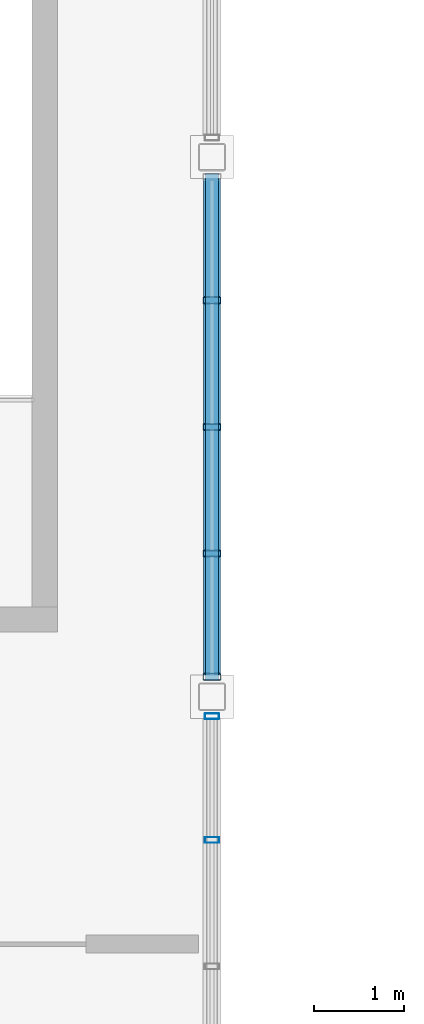
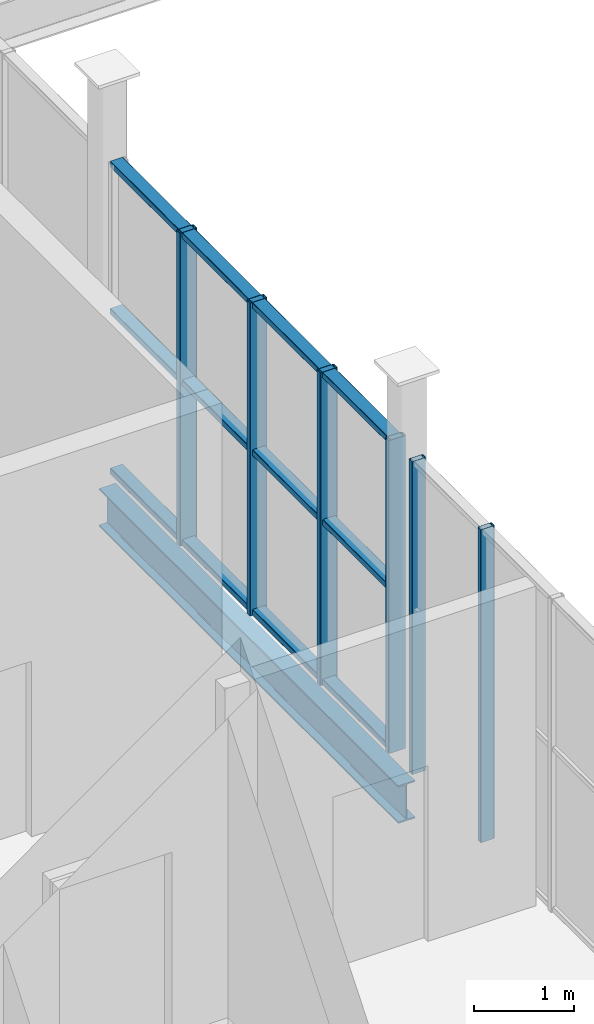
# One storey, part 43 of 114: 9 members, 1 beam, 2 elements without a shape of their own.
"""IFC4 building model written with IfcOpenShell, lengths in metres."""

from ifc_helpers import new_model, si_unit, direction, frame, origin, origin_2d, place, context, subcontext, project, spatial, hollow_rectangle, i_section, extrude, material, material_profile, profile_set, type_object, element, aggregate, save


model = new_model("IFC4")

# Units and contexts
model_context = context("Model", 3, precision=1e-05, world=origin(), true_north=direction((0.0, 1.0)))
body_context = subcontext(model_context, "Body", "Model", "MODEL_VIEW")
ifc_project = project(units=[si_unit("LENGTHUNIT", "METRE"), si_unit("AREAUNIT", "SQUARE_METRE"), si_unit("VOLUMEUNIT", "CUBIC_METRE"), si_unit("PLANEANGLEUNIT", "RADIAN"), si_unit("MASSUNIT", "GRAM", prefix="KILO")], contexts=[model_context])

# Site, building, storey
site_placement = place(None, origin())
site = spatial("IfcSite", under=ifc_project, at=site_placement, CompositionType="ELEMENT")
building_placement = place(site_placement, origin())
building = spatial("IfcBuilding", under=site, at=building_placement, Name="Verrall Gate Interchange", CompositionType="ELEMENT")
storey_placement = place(building_placement, frame((0.0, 0.0, 6.60009765625)))
storey = spatial("IfcBuildingStorey", under=building, at=storey_placement, Name="L02", CompositionType="ELEMENT", Elevation=6.60009765625)

# Beam
ifc_material_1 = material(Name="Structural Steel CSA G40.21 350W", Category="steel")
ifc_material_profile_1 = material_profile(ifc_material_1, i_section(OverallWidth=0.19189453125, OverallDepth=0.462890625, WebThickness=0.010498046875, FlangeThickness=0.017578125, FilletRadius=0.012939453125, at=origin_2d()), Name="W460x89")
ifc_profile_set_1 = profile_set([ifc_material_profile_1], Name="Structural Steel CSA G40.21 350W")
beam_type = type_object("IfcBeamType", Name="B-11 Structural Beam W460x89", PredefinedType="BEAM", material=ifc_profile_set_1)
beam_placement = place(storey_placement, frame((108.0, 34.0, -0.51171875), z_axis=(0.0, 1.0, 0.0), x_axis=(-1.0, 0.0, 0.0)))
element("IfcBeam", 1, at=beam_placement, inside=storey, type_object=beam_type, Name="L02 Girder BM-L02-1777 (B-11)", PredefinedType="BEAM", context=body_context, shape_type="SweptSolid", body=[
    extrude(i_section(OverallWidth=0.19189453125, OverallDepth=0.462890625, WebThickness=0.010498046875, FlangeThickness=0.017578125, FilletRadius=0.012939453125, at=origin_2d()), origin(), (0.0, 0.0, 1.0), 6.0),
])

# Curtain wall, members
ifc_material_2 = material(Name="Thermally Broken Anodized Aluminium Curtain Wall Framing", Category="aluminium")
curtain_wall_type = type_object("IfcCurtainWallType", Name="CW-18 Unitized Curtain Wall 5631x3760", PredefinedType="NOTDEFINED", material=ifc_material_2)
curtain_wall_1_placement = place(storey_placement, origin())
curtain_wall_1 = element("IfcCurtainWall", 2, at=curtain_wall_1_placement, inside=storey, type_object=curtain_wall_type, Name="L02 Unitized Curtain Wall CW-L02-066", PredefinedType="NOTDEFINED")
ifc_material_3 = material(Name="Thermally Broken Anodized Aluminium Curtain Wall Framing", Category="aluminium")
ifc_material_profile_2 = material_profile(ifc_material_3, hollow_rectangle(XDim=0.06494140625, YDim=0.159912109375, WallThickness=0.00390625, InnerFilletRadius=0.00390625, OuterFilletRadius=0.008056640625, at=origin_2d()), Name="CWM160x65x4")
ifc_profile_set_2 = profile_set([ifc_material_profile_2], Name="Thermally Broken Anodized Aluminium Curtain Wall Framing")
member_type_1 = type_object("IfcMemberType", Name="CM-01 Curtain Mullion CWM160x65x4", PredefinedType="MULLION", material=ifc_profile_set_2)
member_1_placement = place(storey_placement, frame((108.0, 32.40771484375, 0.0), z_axis=(0.0, 0.0, 1.0), x_axis=(0.0, 1.0, 0.0)))
member_1 = element("IfcMember", 3, at=member_1_placement, type_object=member_type_1, Name="CW-L02-066 Mullion 4", PredefinedType="MULLION", context=body_context, shape_type="SweptSolid", body=[
    extrude(hollow_rectangle(XDim=0.06494140625, YDim=0.159912109375, WallThickness=0.00390625, InnerFilletRadius=0.00390625, OuterFilletRadius=0.008056640625, at=origin_2d()), origin(), (0.0, 0.0, 1.0), 3.829833984375),
])
member_2_placement = place(storey_placement, frame((108.0, 33.782958984375, 0.0), z_axis=(0.0, 0.0, 1.0), x_axis=(0.0, 1.0, 0.0)))
member_2 = element("IfcMember", 4, at=member_2_placement, type_object=member_type_1, Name="CW-L02-066 Mullion 5", PredefinedType="MULLION", context=body_context, shape_type="SweptSolid", body=[
    extrude(hollow_rectangle(XDim=0.06494140625, YDim=0.159912109375, WallThickness=0.00390625, InnerFilletRadius=0.00390625, OuterFilletRadius=0.008056640625, at=origin_2d()), origin(), (0.0, 0.0, 1.0), 3.829833984375),
])
aggregate(curtain_wall_1, [member_1, member_2])

curtain_wall_2_placement = place(storey_placement, origin())
curtain_wall_2 = element("IfcCurtainWall", 5, at=curtain_wall_2_placement, inside=storey, type_object=curtain_wall_type, Name="L02 Unitized Curtain Wall CW-L02-067", PredefinedType="NOTDEFINED")
ifc_material_4 = material(Name="Thermally Broken Anodized Aluminium Curtain Wall Framing", Category="aluminium")
ifc_material_profile_3 = material_profile(ifc_material_4, hollow_rectangle(XDim=0.074951171875, YDim=0.199951171875, WallThickness=0.0048828125, InnerFilletRadius=0.0048828125, OuterFilletRadius=0.010009765625, at=origin_2d()), Name="CWM200x75x5")
ifc_profile_set_3 = profile_set([ifc_material_profile_3], Name="Thermally Broken Anodized Aluminium Curtain Wall Framing")
member_type_2 = type_object("IfcMemberType", Name="CM-02 Curtain Mullion CWM200x75x5", PredefinedType="MULLION", material=ifc_profile_set_3)
member_3_placement = place(storey_placement, frame((108.0, 34.221923828125, 0.0), z_axis=(0.0, 0.0, 1.0), x_axis=(0.0, 1.0, 0.0)))
member_3 = element("IfcMember", 6, at=member_3_placement, type_object=member_type_2, Name="CW-L02-067 Mullion 1", PredefinedType="MULLION", context=body_context, shape_type="SweptSolid", body=[
    extrude(hollow_rectangle(XDim=0.074951171875, YDim=0.199951171875, WallThickness=0.0048828125, InnerFilletRadius=0.0048828125, OuterFilletRadius=0.010009765625, at=origin_2d()), origin(), (0.0, 0.0, 1.0), 3.829833984375),
])
member_4_placement = place(storey_placement, frame((108.0, 35.59228515625, 0.0), z_axis=(0.0, 0.0, 1.0), x_axis=(0.0, 1.0, 0.0)))
member_4 = element("IfcMember", 7, at=member_4_placement, type_object=member_type_2, Name="CW-L02-067 Mullion 2", PredefinedType="MULLION", context=body_context, shape_type="SweptSolid", body=[
    extrude(hollow_rectangle(XDim=0.074951171875, YDim=0.199951171875, WallThickness=0.0048828125, InnerFilletRadius=0.0048828125, OuterFilletRadius=0.010009765625, at=origin_2d()), origin(), (0.0, 0.0, 1.0), 3.829833984375),
])
member_5_placement = place(storey_placement, frame((108.0, 37.0, 0.0), z_axis=(0.0, 0.0, 1.0), x_axis=(0.0, 1.0, 0.0)))
member_5 = element("IfcMember", 8, at=member_5_placement, type_object=member_type_2, Name="CW-L02-067 Mullion 3", PredefinedType="MULLION", context=body_context, shape_type="SweptSolid", body=[
    extrude(hollow_rectangle(XDim=0.074951171875, YDim=0.199951171875, WallThickness=0.0048828125, InnerFilletRadius=0.0048828125, OuterFilletRadius=0.010009765625, at=origin_2d()), origin(), (0.0, 0.0, 1.0), 3.829833984375),
])
member_6_placement = place(storey_placement, frame((108.0, 38.40771484375, 0.0), z_axis=(0.0, 0.0, 1.0), x_axis=(0.0, 1.0, 0.0)))
member_6 = element("IfcMember", 9, at=member_6_placement, type_object=member_type_2, Name="CW-L02-067 Mullion 4", PredefinedType="MULLION", context=body_context, shape_type="SweptSolid", body=[
    extrude(hollow_rectangle(XDim=0.074951171875, YDim=0.199951171875, WallThickness=0.0048828125, InnerFilletRadius=0.0048828125, OuterFilletRadius=0.010009765625, at=origin_2d()), origin(), (0.0, 0.0, 1.0), 3.829833984375),
])
ifc_material_5 = material(Name="Thermally Broken Anodized Aluminium Curtain Wall Framing", Category="aluminium")
ifc_material_profile_4 = material_profile(ifc_material_5, hollow_rectangle(XDim=0.14990234375, YDim=0.074951171875, WallThickness=0.00439453125, InnerFilletRadius=0.00439453125, OuterFilletRadius=0.009033203125, at=origin_2d()), Name="CWT150x75x4.5")
ifc_profile_set_4 = profile_set([ifc_material_profile_4], Name="Thermally Broken Anodized Aluminium Curtain Wall Framing")
member_type_3 = type_object("IfcMemberType", Name="CT-02 Curtain Transom CWT150x75x4.5", PredefinedType="USERDEFINED", material=ifc_profile_set_4)
member_7_placement = place(storey_placement, frame((108.0, 34.1845703125, 0.037353515625), z_axis=(0.0, 1.0, 0.0), x_axis=(-1.0, 0.0, 0.0)))
member_7 = element("IfcMember", 10, at=member_7_placement, type_object=member_type_3, Name="CW-L02-067 Transom 1", ObjectType="TRANSOM", PredefinedType="USERDEFINED", context=body_context, shape_type="SweptSolid", body=[
    extrude(hollow_rectangle(XDim=0.14990234375, YDim=0.074951171875, WallThickness=0.00439453125, InnerFilletRadius=0.00439453125, OuterFilletRadius=0.009033203125, at=origin_2d()), origin(), (0.0, 0.0, 1.0), 5.630859375),
])
member_8_placement = place(storey_placement, frame((108.0, 34.1845703125, 1.991455078125), z_axis=(0.0, 1.0, 0.0), x_axis=(-1.0, 0.0, 0.0)))
member_8 = element("IfcMember", 11, at=member_8_placement, type_object=member_type_3, Name="CW-L02-067 Transom 2", ObjectType="TRANSOM", PredefinedType="USERDEFINED", context=body_context, shape_type="SweptSolid", body=[
    extrude(hollow_rectangle(XDim=0.14990234375, YDim=0.074951171875, WallThickness=0.00439453125, InnerFilletRadius=0.00439453125, OuterFilletRadius=0.009033203125, at=origin_2d()), origin(), (0.0, 0.0, 1.0), 5.630859375),
])
member_9_placement = place(storey_placement, frame((108.0, 34.1845703125, 3.79248046875), z_axis=(0.0, 1.0, 0.0), x_axis=(-1.0, 0.0, 0.0)))
member_9 = element("IfcMember", 12, at=member_9_placement, type_object=member_type_3, Name="CW-L02-067 Transom 3", ObjectType="TRANSOM", PredefinedType="USERDEFINED", context=body_context, shape_type="SweptSolid", body=[
    extrude(hollow_rectangle(XDim=0.14990234375, YDim=0.074951171875, WallThickness=0.00439453125, InnerFilletRadius=0.00439453125, OuterFilletRadius=0.009033203125, at=origin_2d()), origin(), (0.0, 0.0, 1.0), 5.630859375),
])
aggregate(curtain_wall_2, [member_3, member_4, member_5, member_6, member_7, member_8, member_9])

save(model, "model.ifc")
